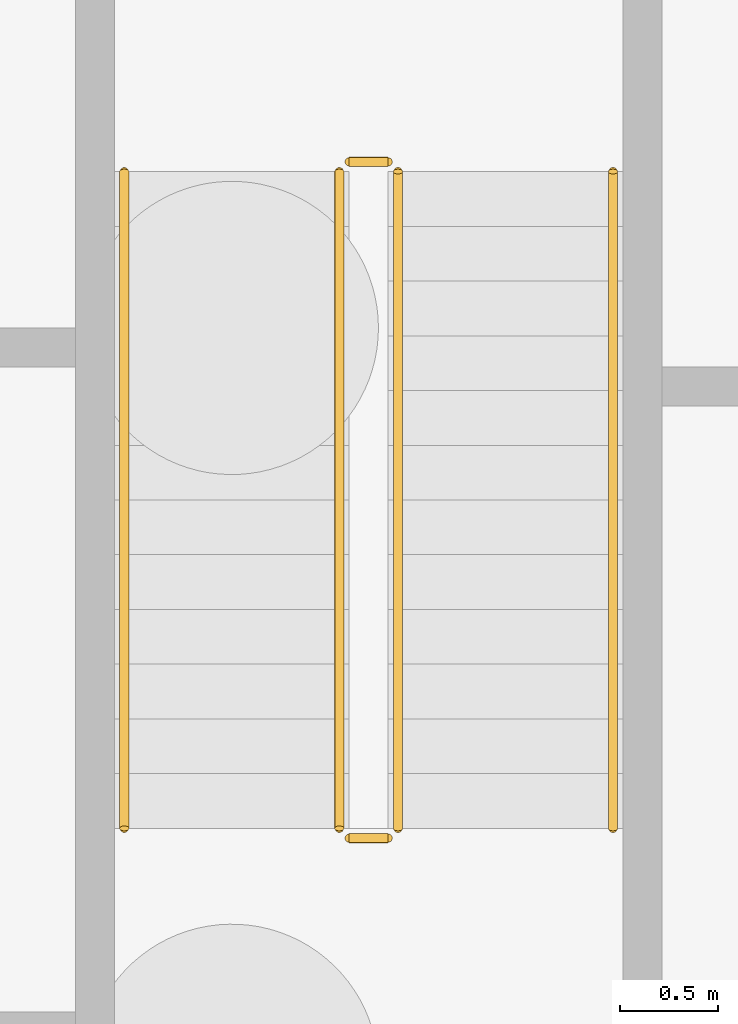
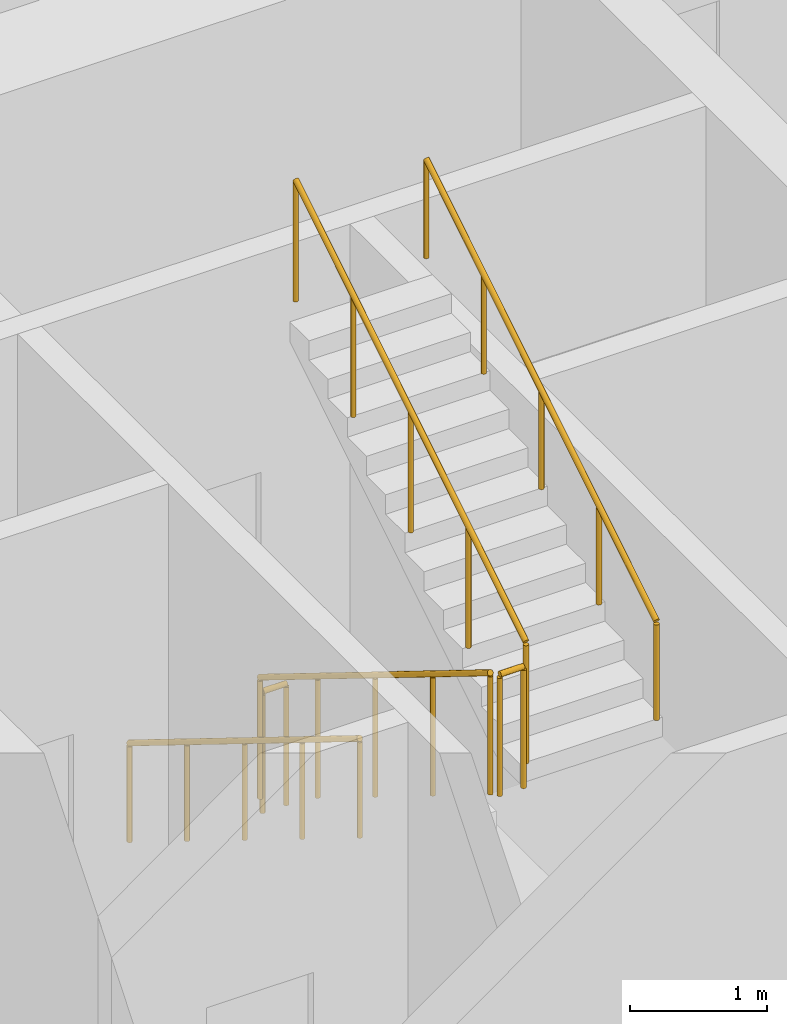
# One storey, part 21 of 23: 6 railings.
"""IFC4 building model written with IfcOpenShell, lengths in metres."""

from ifc_helpers import new_model, si_unit, direction, frame, origin, origin_2d, place, context, subcontext, project, spatial, circle, extrude, material, type_object, element, save


model = new_model("IFC4")

# Units and contexts
model_context = context("Model", 3, precision=1e-05, world=origin(), true_north=direction((0.0, 1.0)))
body_context = subcontext(model_context, "Body", "Model", "MODEL_VIEW")
ifc_project = project(units=[si_unit("LENGTHUNIT", "METRE"), si_unit("AREAUNIT", "SQUARE_METRE"), si_unit("VOLUMEUNIT", "CUBIC_METRE"), si_unit("PLANEANGLEUNIT", "RADIAN"), si_unit("MASSUNIT", "GRAM", prefix="KILO")], contexts=[model_context])

# Site, building, storey
site_placement = place(None, origin())
site = spatial("IfcSite", under=ifc_project, at=site_placement, CompositionType="ELEMENT")
building_placement = place(site_placement, origin())
building = spatial("IfcBuilding", under=site, at=building_placement, Name="Kiln Ring Residences", CompositionType="ELEMENT")
storey_placement = place(building_placement, frame((0.0, 0.0, -4.5)))
storey = spatial("IfcBuildingStorey", under=building, at=storey_placement, Name="B1", CompositionType="ELEMENT", Elevation=-4.5)

# Railings
ifc_material_1 = material(Name="Stainless steel", Category="steel")
railing_type_1 = type_object("IfcRailingType", Name="CORE-STAIR-GUARD", PredefinedType="GUARDRAIL", material=ifc_material_1)
railing_1_placement = place(storey_placement, frame((-22.25, 8.39990234375, 0.173095703125)))
element("IfcRailing", 1, at=railing_1_placement, inside=storey, type_object=railing_type_1, Name="B1 W-STN stair guard 1", PredefinedType="GUARDRAIL", context=body_context, shape_type="SweptSolid", body=[
    extrude(circle(Radius=0.02392578125, at=origin_2d()), frame((0.0, 0.0, 1.076171875), z_axis=(0.0, -0.850606129759, 0.525803396734), x_axis=(1.0, 0.0, 0.0)), (0.0, 0.0, 1.0), 3.949951171875),
    extrude(circle(Radius=0.02099609375, at=origin_2d()), origin(), (0.0, 0.0, 1.0), 1.052001953125),
    extrude(circle(Radius=0.02099609375, at=origin_2d()), frame((0.0, -0.83984375, 0.519287109375)), (0.0, 0.0, 1.0), 1.052001953125),
    extrude(circle(Radius=0.02099609375, at=origin_2d()), frame((0.0, -1.679931640625, 1.03857421875)), (0.0, 0.0, 1.0), 1.052001953125),
    extrude(circle(Radius=0.02099609375, at=origin_2d()), frame((0.0, -2.52001953125, 1.5576171875)), (0.0, 0.0, 1.0), 1.052001953125),
    extrude(circle(Radius=0.02099609375, at=origin_2d()), frame((0.0, -3.35986328125, 2.076904296875)), (0.0, 0.0, 1.0), 1.052001953125),
])
railing_2_placement = place(storey_placement, frame((-22.199951171875, 4.989990234375, 2.25)))
element("IfcRailing", 2, at=railing_2_placement, inside=storey, type_object=railing_type_1, Name="B1 W-STN stair guard 2", PredefinedType="GUARDRAIL", context=body_context, shape_type="SweptSolid", body=[
    extrude(circle(Radius=0.02392578125, at=origin_2d()), frame((0.0, 0.0, 1.076171875), z_axis=(1.0, 0.0, 0.0), x_axis=(0.0, 1.0, 0.0)), (0.0, 0.0, 1.0), 0.199951171875),
    extrude(circle(Radius=0.02099609375, at=origin_2d()), origin(), (0.0, 0.0, 1.0), 1.052001953125),
    extrude(circle(Radius=0.02099609375, at=origin_2d()), frame((0.199951171875, 0.0, 0.0)), (0.0, 0.0, 1.0), 1.052001953125),
])
railing_3_placement = place(storey_placement, frame((-21.949951171875, 5.0400390625, 2.423095703125)))
element("IfcRailing", 3, at=railing_3_placement, inside=storey, type_object=railing_type_1, Name="B1 W-STN stair guard 3", PredefinedType="GUARDRAIL", context=body_context, shape_type="SweptSolid", body=[
    extrude(circle(Radius=0.02392578125, at=origin_2d()), frame((0.0, 0.0, 1.076171875), z_axis=(0.0, 0.850606129759, 0.525803396734), x_axis=(-1.0, 0.0, 0.0)), (0.0, 0.0, 1.0), 3.949951171875),
    extrude(circle(Radius=0.02099609375, at=origin_2d()), origin(), (0.0, 0.0, 1.0), 1.052001953125),
    extrude(circle(Radius=0.02099609375, at=origin_2d()), frame((0.0, 0.83984375, 0.519287109375)), (0.0, 0.0, 1.0), 1.052001953125),
    extrude(circle(Radius=0.02099609375, at=origin_2d()), frame((0.0, 1.679931640625, 1.03857421875)), (0.0, 0.0, 1.0), 1.052001953125),
    extrude(circle(Radius=0.02099609375, at=origin_2d()), frame((0.0, 2.52001953125, 1.5576171875)), (0.0, 0.0, 1.0), 1.052001953125),
    extrude(circle(Radius=0.02099609375, at=origin_2d()), frame((0.0, 3.35986328125, 2.076904296875)), (0.0, 0.0, 1.0), 1.052001953125),
])
railing_4_placement = place(storey_placement, frame((-22.199951171875, 8.449951171875, 0.0)))
element("IfcRailing", 4, at=railing_4_placement, inside=storey, type_object=railing_type_1, Name="B1 W-STN stair guard 4", PredefinedType="GUARDRAIL", context=body_context, shape_type="SweptSolid", body=[
    extrude(circle(Radius=0.02392578125, at=origin_2d()), frame((0.0, 0.0, 1.076171875), z_axis=(1.0, 0.0, 0.0), x_axis=(0.0, 1.0, 0.0)), (0.0, 0.0, 1.0), 0.199951171875),
    extrude(circle(Radius=0.02099609375, at=origin_2d()), origin(), (0.0, 0.0, 1.0), 1.052001953125),
    extrude(circle(Radius=0.02099609375, at=origin_2d()), frame((0.199951171875, 0.0, 0.0)), (0.0, 0.0, 1.0), 1.052001953125),
])
ifc_material_2 = material(Name="Stainless steel", Category="steel")
railing_type_2 = type_object("IfcRailingType", Name="CORE-STAIR-HANDRAIL", PredefinedType="HANDRAIL", material=ifc_material_2)
railing_5_placement = place(storey_placement, frame((-23.35009765625, 8.39990234375, 0.173095703125)))
element("IfcRailing", 5, at=railing_5_placement, inside=storey, type_object=railing_type_2, Name="B1 W-STN stair handrail 1", PredefinedType="HANDRAIL", context=body_context, shape_type="SweptSolid", body=[
    extrude(circle(Radius=0.02392578125, at=origin_2d()), frame((0.0, 0.0, 0.8759765625), z_axis=(0.0, -0.850606129759, 0.525803396734), x_axis=(1.0, 0.0, 0.0)), (0.0, 0.0, 1.0), 3.949951171875),
    extrude(circle(Radius=0.02099609375, at=origin_2d()), origin(), (0.0, 0.0, 1.0), 0.851806640625),
    extrude(circle(Radius=0.02099609375, at=origin_2d()), frame((0.0, -0.83984375, 0.519287109375)), (0.0, 0.0, 1.0), 0.851806640625),
    extrude(circle(Radius=0.02099609375, at=origin_2d()), frame((0.0, -1.679931640625, 1.03857421875)), (0.0, 0.0, 1.0), 0.851806640625),
    extrude(circle(Radius=0.02099609375, at=origin_2d()), frame((0.0, -2.52001953125, 1.5576171875)), (0.0, 0.0, 1.0), 0.851806640625),
    extrude(circle(Radius=0.02099609375, at=origin_2d()), frame((0.0, -3.35986328125, 2.076904296875)), (0.0, 0.0, 1.0), 0.851806640625),
])
railing_6_placement = place(storey_placement, frame((-20.85009765625, 5.0400390625, 2.423095703125)))
element("IfcRailing", 6, at=railing_6_placement, inside=storey, type_object=railing_type_2, Name="B1 W-STN stair handrail 2", PredefinedType="HANDRAIL", context=body_context, shape_type="SweptSolid", body=[
    extrude(circle(Radius=0.02392578125, at=origin_2d()), frame((0.0, 0.0, 0.8759765625), z_axis=(0.0, 0.850606129759, 0.525803396734), x_axis=(-1.0, 0.0, 0.0)), (0.0, 0.0, 1.0), 3.949951171875),
    extrude(circle(Radius=0.02099609375, at=origin_2d()), origin(), (0.0, 0.0, 1.0), 0.851806640625),
    extrude(circle(Radius=0.02099609375, at=origin_2d()), frame((0.0, 0.83984375, 0.519287109375)), (0.0, 0.0, 1.0), 0.851806640625),
    extrude(circle(Radius=0.02099609375, at=origin_2d()), frame((0.0, 1.679931640625, 1.03857421875)), (0.0, 0.0, 1.0), 0.851806640625),
    extrude(circle(Radius=0.02099609375, at=origin_2d()), frame((0.0, 2.52001953125, 1.5576171875)), (0.0, 0.0, 1.0), 0.851806640625),
    extrude(circle(Radius=0.02099609375, at=origin_2d()), frame((0.0, 3.35986328125, 2.076904296875)), (0.0, 0.0, 1.0), 0.851806640625),
])

save(model, "model.ifc")
